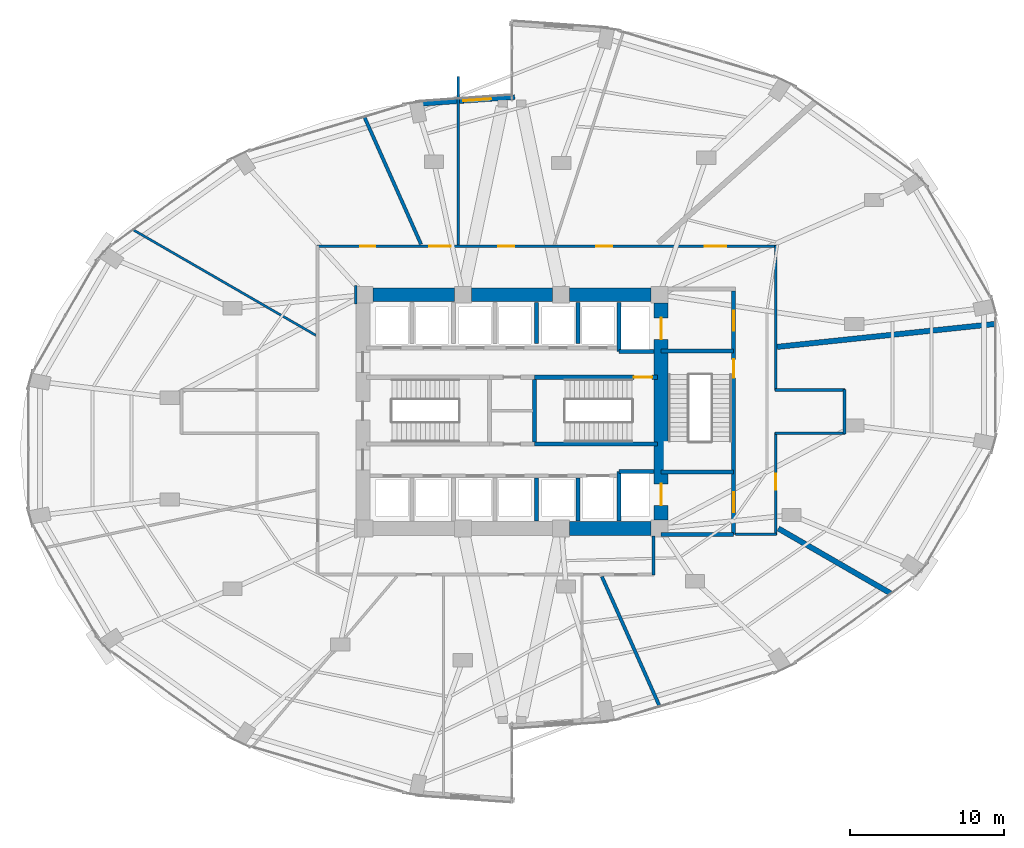
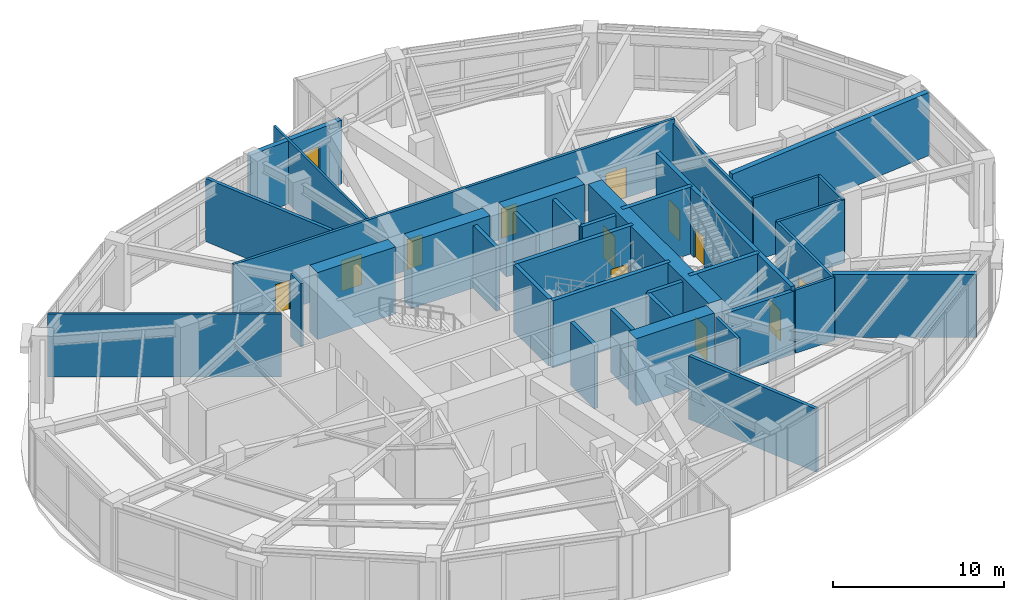
# One storey, part 22 of 24: 36 walls, 12 doors, 1 window, 13 openings.
"""IFC4 building model written with IfcOpenShell, lengths in metres."""

from ifc_helpers import new_model, si_unit, direction, frame, frame_2d, origin, place, context, subcontext, project, spatial, rectangle, extrude, material, layer, layer_set, type_object, element, fill, save


model = new_model("IFC4")

# Units and contexts
model_context = context("Model", 3, precision=1e-05, world=origin(), true_north=direction((0.0, 1.0)))
body_context = subcontext(model_context, "Body", "Model", "MODEL_VIEW")
ifc_project = project(units=[si_unit("LENGTHUNIT", "METRE"), si_unit("AREAUNIT", "SQUARE_METRE"), si_unit("VOLUMEUNIT", "CUBIC_METRE"), si_unit("PLANEANGLEUNIT", "RADIAN"), si_unit("MASSUNIT", "GRAM", prefix="KILO")], contexts=[model_context])

# Site, building, storey
site_placement = place(None, origin())
site = spatial("IfcSite", under=ifc_project, at=site_placement, CompositionType="ELEMENT")
building_placement = place(site_placement, origin())
building = spatial("IfcBuilding", under=site, at=building_placement, Name="Lazwardi Medical Tower", CompositionType="ELEMENT")
storey_placement = place(building_placement, frame((0.0, 0.0, 6.0)))
storey = spatial("IfcBuildingStorey", under=building, at=storey_placement, Name="L01", CompositionType="ELEMENT", Elevation=6.0)

# Wall, openings, doors
ifc_material_1 = material(Name="Fire-rated gypsum board on steel stud", Category="steel")
ifc_layer_1 = layer(ifc_material_1, 0.179931640625)
ifc_layer_set_1 = layer_set([ifc_layer_1], Name="Fire-rated gypsum board on steel stud")
wall_type_1 = type_object("IfcWallType", Name="WL-COR-180", PredefinedType="PARTITIONING", material=ifc_layer_set_1)
wall_1_placement = place(storey_placement, frame((23.31005859375, 38.75, 0.0), z_axis=(0.0, 0.0, 1.0), x_axis=(1.0, 0.0, 0.0)))
wall_1 = element("IfcWall", 1, at=wall_1_placement, inside=storey, type_object=wall_type_1, Name="L01 Corridor partition 4", PredefinedType="PARTITIONING", context=body_context, shape_type="SweptSolid", body=[
    extrude(rectangle(XDim=29.8798828125, YDim=0.179931640625, at=frame_2d((14.93994140625, 0.0))), origin(), (0.0, 0.0, 1.0), 4.52001953125),
])
opening_1_placement = place(wall_1_placement, frame((25.211181640625, 0.0, 0.0)))
opening_1 = element("IfcOpeningElement", 2, at=opening_1_placement, cuts=wall_1, Name="Opening D-L01-013", PredefinedType="OPENING", context=body_context, shape_type="SweptSolid", body=[
    extrude(rectangle(XDim=1.39990234375, YDim=2.199951171875, at=frame_2d((0.699951171875, 1.10009765625))), frame((0.0, 0.099853515625, 0.0), z_axis=(0.0, -1.0, 0.0), x_axis=(1.0, 0.0, 0.0)), (0.0, 0.0, 1.0), 0.199951171875),
])
opening_2_placement = place(wall_1_placement, frame((18.157958984375, 0.0, 0.0)))
opening_2 = element("IfcOpeningElement", 3, at=opening_2_placement, cuts=wall_1, Name="Opening D-L01-014", PredefinedType="OPENING", context=body_context, shape_type="SweptSolid", body=[
    extrude(rectangle(XDim=1.050048828125, YDim=2.14990234375, at=frame_2d((0.52490234375, 1.074951171875))), frame((0.0, 0.099853515625, 0.0), z_axis=(0.0, -1.0, 0.0), x_axis=(1.0, 0.0, 0.0)), (0.0, 0.0, 1.0), 0.199951171875),
])
opening_3_placement = place(wall_1_placement, frame((11.784912109375, 0.0, 0.0)))
opening_3 = element("IfcOpeningElement", 4, at=opening_3_placement, cuts=wall_1, Name="Opening D-L01-015", PredefinedType="OPENING", context=body_context, shape_type="SweptSolid", body=[
    extrude(rectangle(XDim=1.050048828125, YDim=2.14990234375, at=frame_2d((0.52490234375, 1.074951171875))), frame((0.0, 0.099853515625, 0.0), z_axis=(0.0, -1.0, 0.0), x_axis=(1.0, 0.0, 0.0)), (0.0, 0.0, 1.0), 0.199951171875),
])
opening_4_placement = place(wall_1_placement, frame((7.314208984375, 0.0, 0.0)))
opening_4 = element("IfcOpeningElement", 5, at=opening_4_placement, cuts=wall_1, Name="Opening D-L01-016", PredefinedType="OPENING", context=body_context, shape_type="SweptSolid", body=[
    extrude(rectangle(XDim=1.39990234375, YDim=2.199951171875, at=frame_2d((0.699951171875, 1.10009765625))), frame((0.0, 0.099853515625, 0.0), z_axis=(0.0, -1.0, 0.0), x_axis=(1.0, 0.0, 0.0)), (0.0, 0.0, 1.0), 0.199951171875),
])
opening_5_placement = place(wall_1_placement, frame((2.832275390625, 0.0, 0.0)))
opening_5 = element("IfcOpeningElement", 6, at=opening_5_placement, cuts=wall_1, Name="Opening D-L01-017", PredefinedType="OPENING", context=body_context, shape_type="SweptSolid", body=[
    extrude(rectangle(XDim=0.949951171875, YDim=2.10009765625, at=frame_2d((0.47509765625, 1.050048828125))), frame((0.0, 0.099853515625, 0.0), z_axis=(0.0, -1.0, 0.0), x_axis=(1.0, 0.0, 0.0)), (0.0, 0.0, 1.0), 0.199951171875),
])
ifc_material_2 = material(Name="Anti-microbial laminate hospital leaf")
door_type_1 = type_object("IfcDoorType", Name="DR-BED-1400", OperationType="NOTDEFINED", PredefinedType="DOOR", material=ifc_material_2)
door_1_placement = place(opening_1_placement, origin())
door_1 = element("IfcDoor", 7, at=door_1_placement, inside=storey, type_object=door_type_1, Name="L01 Family Waiting Lounge Door 07", OperationType="SINGLE_SWING_RIGHT", OverallHeight=2.199951171875, OverallWidth=1.39990234375, PredefinedType="DOOR", context=body_context, shape_type="SweptSolid", body=[
    extrude(rectangle(XDim=1.39990234375, YDim=2.199951171875, at=frame_2d((0.699951171875, 1.10009765625))), frame((0.0, 0.02490234375, 0.0), z_axis=(0.0, -1.0, 0.0), x_axis=(1.0, 0.0, 0.0)), (0.0, 0.0, 1.0), 0.050048828125),
])
fill(opening_1, door_1)
door_2_placement = place(opening_4_placement, origin())
door_2 = element("IfcDoor", 8, at=door_2_placement, inside=storey, type_object=door_type_1, Name="L01 Emergency Trauma Resuscitation Door 10", OperationType="SINGLE_SWING_LEFT", OverallHeight=2.199951171875, OverallWidth=1.39990234375, PredefinedType="DOOR", context=body_context, shape_type="SweptSolid", body=[
    extrude(rectangle(XDim=1.39990234375, YDim=2.199951171875, at=frame_2d((0.699951171875, 1.10009765625))), frame((0.0, 0.02490234375, 0.0), z_axis=(0.0, -1.0, 0.0), x_axis=(1.0, 0.0, 0.0)), (0.0, 0.0, 1.0), 0.050048828125),
])
fill(opening_4, door_2)
door_type_2 = type_object("IfcDoorType", Name="DR-CLN-1050", OperationType="NOTDEFINED", PredefinedType="DOOR", material=ifc_material_2)
door_3_placement = place(opening_2_placement, origin())
door_3 = element("IfcDoor", 9, at=door_3_placement, inside=storey, type_object=door_type_2, Name="L01 Clean Utility Room Door 08", OperationType="SINGLE_SWING_LEFT", OverallHeight=2.14990234375, OverallWidth=1.050048828125, PredefinedType="DOOR", context=body_context, shape_type="SweptSolid", body=[
    extrude(rectangle(XDim=1.050048828125, YDim=2.14990234375, at=frame_2d((0.52490234375, 1.074951171875))), frame((0.0, 0.02490234375, 0.0), z_axis=(0.0, -1.0, 0.0), x_axis=(1.0, 0.0, 0.0)), (0.0, 0.0, 1.0), 0.050048828125),
])
fill(opening_2, door_3)
door_4_placement = place(opening_3_placement, origin())
door_4 = element("IfcDoor", 10, at=door_4_placement, inside=storey, type_object=door_type_2, Name="L01 Clean Utility Room Door 09", OperationType="SINGLE_SWING_RIGHT", OverallHeight=2.14990234375, OverallWidth=1.050048828125, PredefinedType="DOOR", context=body_context, shape_type="SweptSolid", body=[
    extrude(rectangle(XDim=1.050048828125, YDim=2.14990234375, at=frame_2d((0.52490234375, 1.074951171875))), frame((0.0, 0.02490234375, 0.0), z_axis=(0.0, -1.0, 0.0), x_axis=(1.0, 0.0, 0.0)), (0.0, 0.0, 1.0), 0.050048828125),
])
fill(opening_3, door_4)
ifc_material_3 = material(Name="Moisture-resistant laminate door leaf")
door_type_3 = type_object("IfcDoorType", Name="DR-ENS-950", OperationType="NOTDEFINED", PredefinedType="DOOR", material=ifc_material_3)
door_5_placement = place(opening_5_placement, origin())
door_5 = element("IfcDoor", 11, at=door_5_placement, inside=storey, type_object=door_type_3, Name="L01 Diagnostic Imaging Suite Door 11", OperationType="SINGLE_SWING_RIGHT", OverallHeight=2.10009765625, OverallWidth=0.949951171875, PredefinedType="DOOR", context=body_context, shape_type="SweptSolid", body=[
    extrude(rectangle(XDim=0.949951171875, YDim=2.10009765625, at=frame_2d((0.47509765625, 1.050048828125))), frame((0.0, 0.02490234375, 0.0), z_axis=(0.0, -1.0, 0.0), x_axis=(1.0, 0.0, 0.0)), (0.0, 0.0, 1.0), 0.050048828125),
])
fill(opening_5, door_5)

# Walls
wall_2_placement = place(storey_placement, frame((53.14990234375, 38.7900390625, 0.0), z_axis=(0.0, 0.0, 1.0), x_axis=(0.0, -1.0, 0.0)))
element("IfcWall", 12, at=wall_2_placement, inside=storey, type_object=wall_type_1, Name="L01 Corridor partition 5", PredefinedType="PARTITIONING", context=body_context, shape_type="SweptSolid", body=[
    extrude(rectangle(XDim=9.429931640625, YDim=0.179931640625, at=frame_2d((4.71484375, 0.0))), origin(), (0.0, 0.0, 1.0), 4.205078125),
])
wall_3_placement = place(storey_placement, frame((53.110107421875, 29.39990234375, 0.0), z_axis=(0.0, 0.0, 1.0), x_axis=(1.0, 0.0, 0.0)))
element("IfcWall", 13, at=wall_3_placement, inside=storey, type_object=wall_type_1, Name="L01 Corridor partition 6", PredefinedType="PARTITIONING", context=body_context, shape_type="SweptSolid", body=[
    extrude(rectangle(XDim=4.5478515625, YDim=0.179931640625, at=frame_2d((2.27392578125, 0.0))), origin(), (0.0, 0.0, 1.0), 4.52001953125),
])
wall_4_placement = place(storey_placement, frame((57.617919921875, 29.43994140625, 0.0), z_axis=(0.0, 0.0, 1.0), x_axis=(0.0, -1.0, 0.0)))
element("IfcWall", 14, at=wall_4_placement, inside=storey, type_object=wall_type_1, Name="L01 Corridor partition 7", PredefinedType="PARTITIONING", context=body_context, shape_type="SweptSolid", body=[
    extrude(rectangle(XDim=2.8798828125, YDim=0.179931640625, at=frame_2d((1.43994140625, 0.0))), origin(), (0.0, 0.0, 1.0), 4.52001953125),
])
wall_5_placement = place(storey_placement, frame((57.657958984375, 26.60009765625, 0.0), z_axis=(0.0, 0.0, 1.0), x_axis=(-1.0, 0.0, 0.0)))
element("IfcWall", 15, at=wall_5_placement, inside=storey, type_object=wall_type_1, Name="L01 Corridor partition 8", PredefinedType="PARTITIONING", context=body_context, shape_type="SweptSolid", body=[
    extrude(rectangle(XDim=4.5478515625, YDim=0.179931640625, at=frame_2d((2.27392578125, 0.0))), origin(), (0.0, 0.0, 1.0), 4.52001953125),
])

# Wall, opening, door
wall_6_placement = place(storey_placement, frame((53.14990234375, 26.639892578125, 0.0), z_axis=(0.0, 0.0, 1.0), x_axis=(0.0, -1.0, 0.0)))
wall_6 = element("IfcWall", 16, at=wall_6_placement, inside=storey, type_object=wall_type_1, Name="L01 Corridor partition 9", PredefinedType="PARTITIONING", context=body_context, shape_type="SweptSolid", body=[
    extrude(rectangle(XDim=6.659912109375, YDim=0.179931640625, at=frame_2d((3.330078125, 0.0))), origin(), (0.0, 0.0, 1.0), 4.52001953125),
])
opening_6_placement = place(wall_6_placement, frame((2.670654296875, 0.0, 0.0)))
opening_6 = element("IfcOpeningElement", 17, at=opening_6_placement, cuts=wall_6, Name="Opening D-L01-012", PredefinedType="OPENING", context=body_context, shape_type="SweptSolid", body=[
    extrude(rectangle(XDim=1.050048828125, YDim=2.14990234375, at=frame_2d((0.52490234375, 1.074951171875))), frame((0.0, 0.099853515625, 0.0), z_axis=(0.0, -1.0, 0.0), x_axis=(1.0, 0.0, 0.0)), (0.0, 0.0, 1.0), 0.199951171875),
])
door_6_placement = place(opening_6_placement, origin())
door_6 = element("IfcDoor", 18, at=door_6_placement, inside=storey, type_object=door_type_2, Name="L01 Family Waiting Lounge Door 06", OperationType="SINGLE_SWING_LEFT", OverallHeight=2.14990234375, OverallWidth=1.050048828125, PredefinedType="DOOR", context=body_context, shape_type="SweptSolid", body=[
    extrude(rectangle(XDim=1.050048828125, YDim=2.14990234375, at=frame_2d((0.52490234375, 1.074951171875))), frame((0.0, 0.02490234375, 0.0), z_axis=(0.0, -1.0, 0.0), x_axis=(1.0, 0.0, 0.0)), (0.0, 0.0, 1.0), 0.050048828125),
])
fill(opening_6, door_6)

# Walls
wall_7_placement = place(storey_placement, frame((53.18994140625, 20.02001953125, 0.0), z_axis=(0.0, 0.0, 1.0), x_axis=(-1.0, 0.0, 0.0)))
element("IfcWall", 19, at=wall_7_placement, inside=storey, type_object=wall_type_1, Name="L01 Corridor partition 10", PredefinedType="PARTITIONING", context=body_context, shape_type="SweptSolid", body=[
    extrude(rectangle(XDim=2.64990234375, YDim=0.179931640625, at=frame_2d((1.324951171875, 0.0))), origin(), (0.0, 0.0, 1.0), 4.52001953125),
])
wall_8_placement = place(storey_placement, frame((25.830078125, 36.2099609375, 0.0), z_axis=(0.0, 0.0, 1.0), x_axis=(0.0, -1.0, 0.0)))
element("IfcWall", 20, at=wall_8_placement, inside=storey, type_object=wall_type_1, Name="L01 Corridor partition 11", PredefinedType="PARTITIONING", context=body_context, shape_type="SweptSolid", body=[
    extrude(rectangle(XDim=1.219970703125, YDim=0.179931640625, at=frame_2d((0.60986328125, 0.0))), origin(), (0.0, 0.0, 1.0), 4.52001953125),
])
wall_9_placement = place(storey_placement, frame((45.199951171875, 19.909912109375, 0.0), z_axis=(0.0, 0.0, 1.0), x_axis=(0.0, -1.0, 0.0)))
element("IfcWall", 21, at=wall_9_placement, inside=storey, type_object=wall_type_1, Name="L01 Corridor partition 13", PredefinedType="PARTITIONING", context=body_context, shape_type="SweptSolid", body=[
    extrude(rectangle(XDim=2.5498046875, YDim=0.179931640625, at=frame_2d((1.27490234375, 0.0))), origin(), (0.0, 0.0, 1.0), 4.52001953125),
])

# Wall, openings, doors
ifc_material_4 = material(Name="Concrete C80/95", Category="concrete")
ifc_layer_2 = layer(ifc_material_4, 0.89990234375)
ifc_layer_set_2 = layer_set([ifc_layer_2], Name="Concrete C80/95")
wall_type_2 = type_object("IfcWallType", Name="WL-CORE-900", PredefinedType="SHEAR", material=ifc_layer_set_2)
wall_10_placement = place(storey_placement, frame((45.699951171875, 20.949951171875, 0.0), z_axis=(0.0, 0.0, 1.0), x_axis=(0.0, 1.0, 0.0)))
wall_10 = element("IfcWall", 22, at=wall_10_placement, inside=storey, type_object=wall_type_2, Name="Core wall CW-S1 east L01", PredefinedType="SHEAR", context=body_context, shape_type="SweptSolid", body=[
    extrude(rectangle(XDim=14.10009765625, YDim=0.89990234375, at=frame_2d((7.050048828125, 0.0))), origin(), (0.0, 0.0, 1.0), 4.800048828125),
])
opening_7_placement = place(wall_10_placement, frame((11.75, 0.0, 0.0)))
opening_7 = element("IfcOpeningElement", 23, at=opening_7_placement, cuts=wall_10, Name="Opening LD-L01-001", PredefinedType="OPENING", context=body_context, shape_type="SweptSolid", body=[
    extrude(rectangle(XDim=1.39990234375, YDim=2.300048828125, at=frame_2d((0.699951171875, 1.14990234375))), frame((0.0, 0.4599609375, 0.0), z_axis=(0.0, -1.0, 0.0), x_axis=(1.0, 0.0, 0.0)), (0.0, 0.0, 1.0), 0.919921875),
])
opening_8_placement = place(wall_10_placement, frame((0.949951171875, 0.0, 0.0)))
opening_8 = element("IfcOpeningElement", 24, at=opening_8_placement, cuts=wall_10, Name="Opening LD-L01-002", PredefinedType="OPENING", context=body_context, shape_type="SweptSolid", body=[
    extrude(rectangle(XDim=1.39990234375, YDim=2.300048828125, at=frame_2d((0.699951171875, 1.14990234375))), frame((0.0, 0.4599609375, 0.0), z_axis=(0.0, -1.0, 0.0), x_axis=(1.0, 0.0, 0.0)), (0.0, 0.0, 1.0), 0.919921875),
])
ifc_material_5 = material(Name="Brushed stainless steel bed-lift landing door", Category="steel")
door_type_4 = type_object("IfcDoorType", Name="DR-LFT-1400", OperationType="NOTDEFINED", PredefinedType="DOOR", material=ifc_material_5)
door_7_placement = place(opening_7_placement, origin())
door_7 = element("IfcDoor", 25, at=door_7_placement, inside=storey, type_object=door_type_4, Name="L01 Lift Landing Door FL-01", OperationType="SLIDING_TO_LEFT", OverallHeight=2.300048828125, OverallWidth=1.39990234375, PredefinedType="DOOR", context=body_context, shape_type="SweptSolid", body=[
    extrude(rectangle(XDim=1.39990234375, YDim=2.300048828125, at=frame_2d((0.699951171875, 1.14990234375))), frame((0.0, 0.02490234375, 0.0), z_axis=(0.0, -1.0, 0.0), x_axis=(1.0, 0.0, 0.0)), (0.0, 0.0, 1.0), 0.050048828125),
])
fill(opening_7, door_7)
door_8_placement = place(opening_8_placement, origin())
door_8 = element("IfcDoor", 26, at=door_8_placement, inside=storey, type_object=door_type_4, Name="L01 Lift Landing Door FL-02", OperationType="SLIDING_TO_LEFT", OverallHeight=2.300048828125, OverallWidth=1.39990234375, PredefinedType="DOOR", context=body_context, shape_type="SweptSolid", body=[
    extrude(rectangle(XDim=1.39990234375, YDim=2.300048828125, at=frame_2d((0.699951171875, 1.14990234375))), frame((0.0, 0.02490234375, 0.0), z_axis=(0.0, -1.0, 0.0), x_axis=(1.0, 0.0, 0.0)), (0.0, 0.0, 1.0), 0.050048828125),
])
fill(opening_8, door_8)

# Walls
wall_11_placement = place(storey_placement, frame((26.949951171875, 35.60009765625, 0.0), z_axis=(0.0, 0.0, 1.0), x_axis=(1.0, 0.0, 0.0)))
element("IfcWall", 27, at=wall_11_placement, inside=storey, type_object=wall_type_2, Name="Core wall CW-S1 N1 L01", PredefinedType="SHEAR", context=body_context, shape_type="SweptSolid", body=[
    extrude(rectangle(XDim=5.300048828125, YDim=0.89990234375, at=frame_2d((2.64990234375, 0.0))), origin(), (0.0, 0.0, 1.0), 4.800048828125),
])
wall_12_placement = place(storey_placement, frame((33.35009765625, 35.60009765625, 0.0), z_axis=(0.0, 0.0, 1.0), x_axis=(1.0, 0.0, 0.0)))
element("IfcWall", 28, at=wall_12_placement, inside=storey, type_object=wall_type_2, Name="Core wall CW-S1 N2 L01", PredefinedType="SHEAR", context=body_context, shape_type="SweptSolid", body=[
    extrude(rectangle(XDim=5.2998046875, YDim=0.89990234375, at=frame_2d((2.64990234375, 0.0))), origin(), (0.0, 0.0, 1.0), 4.800048828125),
])
for number, where, z_axis, x_axis, name in (
    (29, (39.75, 20.39990234375, 0.0), (0.0, 0.0, 1.0), (1.0, 0.0, 0.0), "Core wall CW-S1 S3 L01"),
    (30, (39.75, 35.60009765625, 0.0), (0.0, 0.0, 1.0), (1.0, 0.0, 0.0), "Core wall CW-S1 N3 L01"),
):
    element("IfcWall", number, at=place(storey_placement, frame(where, z_axis=z_axis, x_axis=x_axis)), inside=storey, type_object=wall_type_2, Name=name, PredefinedType="SHEAR", context=body_context, shape_type="SweptSolid", body=[
        extrude(rectangle(XDim=5.300048828125, YDim=0.89990234375, at=frame_2d((2.64990234375, 0.0))), origin(), (0.0, 0.0, 1.0), 4.800048828125),
    ])

# Wall, opening, window
ifc_material_6 = material(Name="Precast concrete C45/55", Category="concrete")
ifc_layer_3 = layer(ifc_material_6, 0.320068359375)
ifc_layer_set_3 = layer_set([ifc_layer_3], Name="Precast concrete C45/55")
wall_type_3 = type_object("IfcWallType", Name="WL-IWAN-320", PredefinedType="SOLIDWALL", material=ifc_layer_set_3)
wall_13_placement = place(storey_placement, frame((36.178955078125, 48.45263671875, 0.0), z_axis=(0.0, 0.0, 1.0), x_axis=(-0.997513108184, -0.070481196075, 0.0)))
wall_13 = element("IfcWall", 31, at=wall_13_placement, inside=storey, type_object=wall_type_3, Name="L01 Iwan Portal Return Wall NW_ret", PredefinedType="SOLIDWALL", context=body_context, shape_type="SweptSolid", body=[
    extrude(rectangle(XDim=6.456787109375, YDim=0.320068359375, at=frame_2d((3.228515625, 0.0))), origin(), (0.0, 0.0, 1.0), 4.52001953125),
])
opening_9_placement = place(wall_13_placement, frame((1.547607421875, 0.0, 0.85009765625)))
opening_9 = element("IfcOpeningElement", 32, at=opening_9_placement, cuts=wall_13, Name="Opening WN-03", PredefinedType="OPENING", context=body_context, shape_type="SweptSolid", body=[
    extrude(rectangle(XDim=1.800048828125, YDim=2.39990234375, at=frame_2d((0.89990234375, 1.199951171875))), frame((0.0, 0.169921875, 0.0), z_axis=(0.0, -1.0, 0.0), x_axis=(1.0, 0.0, 0.0)), (0.0, 0.0, 1.0), 0.340087890625),
])
ifc_material_7 = material(Name="Laminated acoustic bronze double glazing", Category="glass")
window_type = type_object("IfcWindowType", Name="WIN-POD-1800", PartitioningType="SINGLE_PANEL", PredefinedType="WINDOW", material=ifc_material_7)
window_placement = place(opening_9_placement, origin())
window = element("IfcWindow", 33, at=window_placement, inside=storey, type_object=window_type, Name="L01 Iwan Slot Window NW_ret", OverallHeight=2.39990234375, OverallWidth=1.800048828125, PartitioningType="SINGLE_PANEL", PredefinedType="WINDOW", context=body_context, shape_type="SweptSolid", body=[
    extrude(rectangle(XDim=1.800048828125, YDim=2.39990234375, at=frame_2d((0.89990234375, 1.199951171875))), frame((0.0, 0.030029296875, 0.0), z_axis=(0.0, -1.0, 0.0), x_axis=(1.0, 0.0, 0.0)), (0.0, 0.0, 1.0), 0.06005859375),
])
fill(opening_9, window)

# Walls
ifc_material_8 = material(Name="Lead-lined barium plaster blockwork", Category="masonry")
ifc_layer_4 = layer(ifc_material_8, 0.35009765625)
ifc_layer_set_4 = layer_set([ifc_layer_4], Name="Lead-lined barium plaster blockwork")
wall_type_4 = type_object("IfcWallType", Name="WL-RAD-350", PredefinedType="SOLIDWALL", material=ifc_layer_set_4)
wall_14_placement = place(storey_placement, frame((53.322021484375, 20.399169921875, 0.0), z_axis=(0.0, 0.0, 1.0), x_axis=(0.866024398109, -0.500001741877, 0.0)))
element("IfcWall", 34, at=wall_14_placement, inside=storey, type_object=wall_type_4, Name="L01 Room partition 2", PredefinedType="SOLIDWALL", context=body_context, shape_type="SweptSolid", body=[
    extrude(rectangle(XDim=8.44970703125, YDim=0.35009765625, at=frame_2d((4.224853515625, 0.0))), origin(), (0.0, 0.0, 1.0), 4.52001953125),
])
wall_15_placement = place(storey_placement, frame((53.23974609375, 32.2119140625, 0.0), z_axis=(0.0, 0.0, 1.0), x_axis=(0.994522307274, 0.104524544177, 0.0)))
element("IfcWall", 35, at=wall_15_placement, inside=storey, type_object=wall_type_4, Name="L01 Room partition 3", PredefinedType="SOLIDWALL", context=body_context, shape_type="SweptSolid", body=[
    extrude(rectangle(XDim=14.27587890625, YDim=0.35009765625, at=frame_2d((7.137939453125, 0.0))), origin(), (0.0, 0.0, 1.0), 4.52001953125),
])
ifc_material_9 = material(Name="Autoclaved aerated concrete blockwork", Category="masonry")
ifc_layer_5 = layer(ifc_material_9, 0.25)
ifc_layer_set_5 = layer_set([ifc_layer_5], Name="Autoclaved aerated concrete blockwork")
wall_type_5 = type_object("IfcWallType", Name="WL-SHAFT-250", PredefinedType="SOLIDWALL", material=ifc_layer_set_5)
wall_16_placement = place(storey_placement, frame((42.949951171875, 31.919921875, 0.0), z_axis=(0.0, 0.0, 1.0), x_axis=(0.0, 1.0, 0.0)))
element("IfcWall", 36, at=wall_16_placement, inside=storey, type_object=wall_type_5, Name="L01 FL-01 West shaft wall", PredefinedType="SOLIDWALL", context=body_context, shape_type="SweptSolid", body=[
    extrude(rectangle(XDim=3.18017578125, YDim=0.25, at=frame_2d((1.590087890625, 0.0))), origin(), (0.0, 0.0, 1.0), 4.52001953125),
])
wall_17_placement = place(storey_placement, frame((42.949951171875, 31.919921875, 0.0), z_axis=(0.0, 0.0, 1.0), x_axis=(1.0, 0.0, 0.0)))
element("IfcWall", 37, at=wall_17_placement, inside=storey, type_object=wall_type_5, Name="L01 FL-01 South shaft wall", PredefinedType="SOLIDWALL", context=body_context, shape_type="SweptSolid", body=[
    extrude(rectangle(XDim=2.300048828125, YDim=0.25, at=frame_2d((1.14990234375, 0.0))), origin(), (0.0, 0.0, 1.0), 4.52001953125),
])
wall_18_placement = place(storey_placement, frame((42.949951171875, 20.89990234375, 0.0), z_axis=(0.0, 0.0, 1.0), x_axis=(0.0, 1.0, 0.0)))
element("IfcWall", 38, at=wall_18_placement, inside=storey, type_object=wall_type_5, Name="L01 FL-02 West shaft wall", PredefinedType="SOLIDWALL", context=body_context, shape_type="SweptSolid", body=[
    extrude(rectangle(XDim=3.2001953125, YDim=0.25, at=frame_2d((1.60009765625, 0.0))), origin(), (0.0, 0.0, 1.0), 4.52001953125),
])
wall_19_placement = place(storey_placement, frame((42.949951171875, 24.10009765625, 0.0), z_axis=(0.0, 0.0, 1.0), x_axis=(1.0, 0.0, 0.0)))
element("IfcWall", 39, at=wall_19_placement, inside=storey, type_object=wall_type_5, Name="L01 FL-02 North shaft wall", PredefinedType="SOLIDWALL", context=body_context, shape_type="SweptSolid", body=[
    extrude(rectangle(XDim=2.300048828125, YDim=0.25, at=frame_2d((1.14990234375, 0.0))), origin(), (0.0, 0.0, 1.0), 4.52001953125),
])
wall_20_placement = place(storey_placement, frame((37.60009765625, 32.419921875, 0.0), z_axis=(0.0, 0.0, 1.0), x_axis=(0.0, 1.0, 0.0)))
element("IfcWall", 40, at=wall_20_placement, inside=storey, type_object=wall_type_5, Name="L01 North hoistway divider", PredefinedType="SOLIDWALL", context=body_context, shape_type="SweptSolid", body=[
    extrude(rectangle(XDim=2.68017578125, YDim=0.25, at=frame_2d((1.340087890625, 0.0))), origin(), (0.0, 0.0, 1.0), 4.52001953125),
])
wall_21_placement = place(storey_placement, frame((37.60009765625, 20.89990234375, 0.0), z_axis=(0.0, 0.0, 1.0), x_axis=(0.0, 1.0, 0.0)))
element("IfcWall", 41, at=wall_21_placement, inside=storey, type_object=wall_type_5, Name="L01 South hoistway divider", PredefinedType="SOLIDWALL", context=body_context, shape_type="SweptSolid", body=[
    extrude(rectangle(XDim=2.800048828125, YDim=0.25, at=frame_2d((1.39990234375, 0.0))), origin(), (0.0, 0.0, 1.0), 4.52001953125),
])
wall_22_placement = place(storey_placement, frame((40.300048828125, 32.419921875, 0.0), z_axis=(0.0, 0.0, 1.0), x_axis=(0.0, 1.0, 0.0)))
element("IfcWall", 42, at=wall_22_placement, inside=storey, type_object=wall_type_5, Name="L01 North hoistway divider", PredefinedType="SOLIDWALL", context=body_context, shape_type="SweptSolid", body=[
    extrude(rectangle(XDim=2.68017578125, YDim=0.25, at=frame_2d((1.340087890625, 0.0))), origin(), (0.0, 0.0, 1.0), 4.52001953125),
])
wall_23_placement = place(storey_placement, frame((40.300048828125, 20.89990234375, 0.0), z_axis=(0.0, 0.0, 1.0), x_axis=(0.0, 1.0, 0.0)))
element("IfcWall", 43, at=wall_23_placement, inside=storey, type_object=wall_type_5, Name="L01 South hoistway divider", PredefinedType="SOLIDWALL", context=body_context, shape_type="SweptSolid", body=[
    extrude(rectangle(XDim=2.800048828125, YDim=0.25, at=frame_2d((1.39990234375, 0.0))), origin(), (0.0, 0.0, 1.0), 4.52001953125),
])
wall_24_placement = place(storey_placement, frame((45.699951171875, 20.02001953125, 0.0), z_axis=(0.0, 0.0, 1.0), x_axis=(1.0, 0.0, 0.0)))
element("IfcWall", 44, at=wall_24_placement, inside=storey, type_object=wall_type_5, Name="L01 FFL-S South wall", PredefinedType="SOLIDWALL", context=body_context, shape_type="SweptSolid", body=[
    extrude(rectangle(XDim=4.715087890625, YDim=0.25, at=frame_2d((2.357421875, 0.0))), origin(), (0.0, 0.0, 1.0), 4.52001953125),
])
ifc_layer_6 = layer(ifc_material_1, 0.219970703125)
ifc_layer_set_6 = layer_set([ifc_layer_6], Name="Fire-rated gypsum board on steel stud")
wall_type_6 = type_object("IfcWallType", Name="WL-SMK-220", PredefinedType="PARTITIONING", material=ifc_layer_set_6)
wall_25_placement = place(storey_placement, frame((41.846923828125, 17.267333984375, 0.0), z_axis=(0.0, 0.0, 1.0), x_axis=(0.406746917765, -0.913540882987, 0.0)))
element("IfcWall", 45, at=wall_25_placement, inside=storey, type_object=wall_type_6, Name="L01 Room partition 1", PredefinedType="PARTITIONING", context=body_context, shape_type="SweptSolid", body=[
    extrude(rectangle(XDim=9.2314453125, YDim=0.219970703125, at=frame_2d((4.61572265625, 0.0))), origin(), (0.0, 0.0, 1.0), 4.52001953125),
])
wall_26_placement = place(storey_placement, frame((30.086181640625, 38.8828125, 0.0), z_axis=(0.0, 0.0, 1.0), x_axis=(-0.406742961245, 0.913542644586, 0.0)))
element("IfcWall", 46, at=wall_26_placement, inside=storey, type_object=wall_type_6, Name="L01 Room partition 6", PredefinedType="PARTITIONING", context=body_context, shape_type="SweptSolid", body=[
    extrude(rectangle(XDim=9.067138671875, YDim=0.219970703125, at=frame_2d((4.53369140625, 0.0))), origin(), (0.0, 0.0, 1.0), 4.52001953125),
])

# Wall, opening, door
ifc_material_10 = material(Name="Concrete C50/60", Category="concrete")
ifc_layer_7 = layer(ifc_material_10, 0.27001953125)
ifc_layer_set_7 = layer_set([ifc_layer_7], Name="Concrete C50/60")
wall_type_7 = type_object("IfcWallType", Name="WL-STR-250", PredefinedType="SHEAR", material=ifc_layer_set_7)
wall_27_placement = place(storey_placement, frame((37.465087890625, 30.235107421875, 0.0), z_axis=(0.0, 0.0, 1.0), x_axis=(1.0, 0.0, 0.0)))
wall_27 = element("IfcWall", 47, at=wall_27_placement, inside=storey, type_object=wall_type_7, Name="L01 ST2 North shear shaft wall SW-S1", PredefinedType="SHEAR", context=body_context, shape_type="SweptSolid", body=[
    extrude(rectangle(XDim=7.98486328125, YDim=0.27001953125, at=frame_2d((3.992431640625, 0.0))), origin(), (0.0, 0.0, 1.0), 4.800048828125),
])
opening_10_placement = place(wall_27_placement, frame((6.455078125, 0.0, 0.0)))
opening_10 = element("IfcOpeningElement", 48, at=opening_10_placement, cuts=wall_27, Name="Opening D-L01-020", PredefinedType="OPENING", context=body_context, shape_type="SweptSolid", body=[
    extrude(rectangle(XDim=1.199951171875, YDim=2.14990234375, at=frame_2d((0.60009765625, 1.074951171875))), frame((0.0, 0.14501953125, 0.0), z_axis=(0.0, -1.0, 0.0), x_axis=(1.0, 0.0, 0.0)), (0.0, 0.0, 1.0), 0.2900390625),
])
ifc_material_11 = material(Name="Fire-rated steel leaf and frame", Category="steel")
door_type_5 = type_object("IfcDoorType", Name="DR-STR-1200", OperationType="NOTDEFINED", PredefinedType="DOOR", material=ifc_material_11)
door_9_placement = place(opening_10_placement, origin())
door_9 = element("IfcDoor", 49, at=door_9_placement, inside=storey, type_object=door_type_5, Name="L01 Exit Stair ST2 Door", OperationType="SINGLE_SWING_RIGHT", OverallHeight=2.14990234375, OverallWidth=1.199951171875, PredefinedType="DOOR", context=body_context, shape_type="SweptSolid", body=[
    extrude(rectangle(XDim=1.199951171875, YDim=2.14990234375, at=frame_2d((0.60009765625, 1.074951171875))), frame((0.0, 0.02490234375, 0.0), z_axis=(0.0, -1.0, 0.0), x_axis=(1.0, 0.0, 0.0)), (0.0, 0.0, 1.0), 0.050048828125),
])
fill(opening_10, door_9)

# Walls
wall_28_placement = place(storey_placement, frame((37.465087890625, 25.885009765625, 0.0), z_axis=(0.0, 0.0, 1.0), x_axis=(1.0, 0.0, 0.0)))
element("IfcWall", 50, at=wall_28_placement, inside=storey, type_object=wall_type_7, Name="L01 ST2 South shear shaft wall SW-S1", PredefinedType="SHEAR", context=body_context, shape_type="SweptSolid", body=[
    extrude(rectangle(XDim=7.98486328125, YDim=0.27001953125, at=frame_2d((3.992431640625, 0.0))), origin(), (0.0, 0.0, 1.0), 4.800048828125),
])
wall_29_placement = place(storey_placement, frame((37.465087890625, 26.02001953125, 0.0), z_axis=(0.0, 0.0, 1.0), x_axis=(0.0, 1.0, 0.0)))
element("IfcWall", 51, at=wall_29_placement, inside=storey, type_object=wall_type_7, Name="L01 ST2 West shear shaft wall SW-S1", PredefinedType="SHEAR", context=body_context, shape_type="SweptSolid", body=[
    extrude(rectangle(XDim=4.080078125, YDim=0.27001953125, at=frame_2d((2.0400390625, 0.0))), origin(), (0.0, 0.0, 1.0), 4.800048828125),
])

# Wall, openings, doors
wall_30_placement = place(storey_placement, frame((50.4150390625, 35.844970703125, 0.0), z_axis=(0.0, 0.0, 1.0), x_axis=(0.0, -1.0, 0.0)))
wall_30 = element("IfcWall", 52, at=wall_30_placement, inside=storey, type_object=wall_type_7, Name="L01 East ST3 & FFL shear wall SW-S1", PredefinedType="SHEAR", context=body_context, shape_type="SweptSolid", body=[
    extrude(rectangle(XDim=15.824951171875, YDim=0.27001953125, at=frame_2d((7.91259765625, 0.0))), origin(), (0.0, 0.0, 1.0), 4.800048828125),
])
opening_11_placement = place(wall_30_placement, frame((4.445068359375, 0.0, 0.0)))
opening_11 = element("IfcOpeningElement", 53, at=opening_11_placement, cuts=wall_30, Name="Opening D-L01-021", PredefinedType="OPENING", context=body_context, shape_type="SweptSolid", body=[
    extrude(rectangle(XDim=1.199951171875, YDim=2.14990234375, at=frame_2d((0.60009765625, 1.074951171875))), frame((0.0, 0.14501953125, 0.0), z_axis=(0.0, -1.0, 0.0), x_axis=(1.0, 0.0, 0.0)), (0.0, 0.0, 1.0), 0.2900390625),
])
opening_12_placement = place(wall_30_placement, frame((1.294921875, 0.0, 0.0)))
opening_12 = element("IfcOpeningElement", 54, at=opening_12_placement, cuts=wall_30, Name="Opening D-L01-003", PredefinedType="OPENING", context=body_context, shape_type="SweptSolid", body=[
    extrude(rectangle(XDim=1.300048828125, YDim=2.199951171875, at=frame_2d((0.64990234375, 1.10009765625))), frame((0.0, 0.14501953125, 0.0), z_axis=(0.0, -1.0, 0.0), x_axis=(1.0, 0.0, 0.0)), (0.0, 0.0, 1.0), 0.2900390625),
])
opening_13_placement = place(wall_30_placement, frame((13.094970703125, 0.0, 0.0)))
opening_13 = element("IfcOpeningElement", 55, at=opening_13_placement, cuts=wall_30, Name="Opening D-L01-004", PredefinedType="OPENING", context=body_context, shape_type="SweptSolid", body=[
    extrude(rectangle(XDim=1.300048828125, YDim=2.199951171875, at=frame_2d((0.64990234375, 1.10009765625))), frame((0.0, 0.14501953125, 0.0), z_axis=(0.0, -1.0, 0.0), x_axis=(1.0, 0.0, 0.0)), (0.0, 0.0, 1.0), 0.2900390625),
])
door_type_6 = type_object("IfcDoorType", Name="DR-FFL-1300", OperationType="NOTDEFINED", PredefinedType="DOOR", material=ifc_material_11)
door_10_placement = place(opening_12_placement, origin())
door_10 = element("IfcDoor", 56, at=door_10_placement, inside=storey, type_object=door_type_6, Name="L01 Fire-Fighting Lobby North Door", OperationType="SINGLE_SWING_RIGHT", OverallHeight=2.199951171875, OverallWidth=1.300048828125, PredefinedType="DOOR", context=body_context, shape_type="SweptSolid", body=[
    extrude(rectangle(XDim=1.300048828125, YDim=2.199951171875, at=frame_2d((0.64990234375, 1.10009765625))), frame((0.0, 0.02490234375, 0.0), z_axis=(0.0, -1.0, 0.0), x_axis=(1.0, 0.0, 0.0)), (0.0, 0.0, 1.0), 0.050048828125),
])
fill(opening_12, door_10)
door_11_placement = place(opening_13_placement, origin())
door_11 = element("IfcDoor", 57, at=door_11_placement, inside=storey, type_object=door_type_6, Name="L01 Fire-Fighting Lobby South Door", OperationType="SINGLE_SWING_LEFT", OverallHeight=2.199951171875, OverallWidth=1.300048828125, PredefinedType="DOOR", context=body_context, shape_type="SweptSolid", body=[
    extrude(rectangle(XDim=1.300048828125, YDim=2.199951171875, at=frame_2d((0.64990234375, 1.10009765625))), frame((0.0, 0.02490234375, 0.0), z_axis=(0.0, -1.0, 0.0), x_axis=(1.0, 0.0, 0.0)), (0.0, 0.0, 1.0), 0.050048828125),
])
fill(opening_13, door_11)
door_12_placement = place(opening_11_placement, origin())
door_12 = element("IfcDoor", 58, at=door_12_placement, inside=storey, type_object=door_type_5, Name="L01 Exit Stair ST3 Door", OperationType="SINGLE_SWING_LEFT", OverallHeight=2.14990234375, OverallWidth=1.199951171875, PredefinedType="DOOR", context=body_context, shape_type="SweptSolid", body=[
    extrude(rectangle(XDim=1.199951171875, YDim=2.14990234375, at=frame_2d((0.60009765625, 1.074951171875))), frame((0.0, 0.02490234375, 0.0), z_axis=(0.0, -1.0, 0.0), x_axis=(1.0, 0.0, 0.0)), (0.0, 0.0, 1.0), 0.050048828125),
])
fill(opening_11, door_12)

# Walls
for number, where, z_axis, x_axis, name in (
    (59, (45.699951171875, 31.93505859375, 0.0), (0.0, 0.0, 1.0), (1.0, 0.0, 0.0), "L01 ST3 North shear shaft wall SW-S1"),
    (60, (45.699951171875, 24.06494140625, 0.0), (0.0, 0.0, 1.0), (1.0, 0.0, 0.0), "L01 ST3 South shear shaft wall SW-S1"),
):
    element("IfcWall", number, at=place(storey_placement, frame(where, z_axis=z_axis, x_axis=x_axis)), inside=storey, type_object=wall_type_7, Name=name, PredefinedType="SHEAR", context=body_context, shape_type="SweptSolid", body=[
        extrude(rectangle(XDim=4.715087890625, YDim=0.27001953125, at=frame_2d((2.357421875, 0.0))), origin(), (0.0, 0.0, 1.0), 4.800048828125),
    ])
ifc_material_12 = material(Name="Acoustic gypsum board partition")
ifc_layer_8 = layer(ifc_material_12, 0.14990234375)
ifc_layer_set_8 = layer_set([ifc_layer_8], Name="Acoustic gypsum board partition")
wall_type_8 = type_object("IfcWallType", Name="WL-WRD-150", PredefinedType="PARTITIONING", material=ifc_layer_set_8)
wall_31_placement = place(storey_placement, frame((23.242919921875, 32.965087890625, 0.0), z_axis=(0.0, 0.0, 1.0), x_axis=(-0.866019355129, 0.500010476433, 0.0)))
element("IfcWall", 61, at=wall_31_placement, inside=storey, type_object=wall_type_8, Name="L01 Room partition 7", PredefinedType="PARTITIONING", context=body_context, shape_type="SweptSolid", body=[
    extrude(rectangle(XDim=13.720947265625, YDim=0.14990234375, at=frame_2d((6.8603515625, 0.0))), origin(), (0.0, 0.0, 1.0), 4.52001953125),
])
wall_32_placement = place(storey_placement, frame((32.5, 38.840087890625, 0.0), z_axis=(0.0, 0.0, 1.0), x_axis=(0.0, 1.0, 0.0)))
element("IfcWall", 62, at=wall_32_placement, inside=storey, type_object=wall_type_8, Name="L01 Room partition 11", PredefinedType="PARTITIONING", context=body_context, shape_type="SweptSolid", body=[
    extrude(rectangle(XDim=10.95947265625, YDim=0.14990234375, at=frame_2d((5.479736328125, 0.0))), origin(), (0.0, 0.0, 1.0), 4.52001953125),
])

save(model, "model.ifc")
